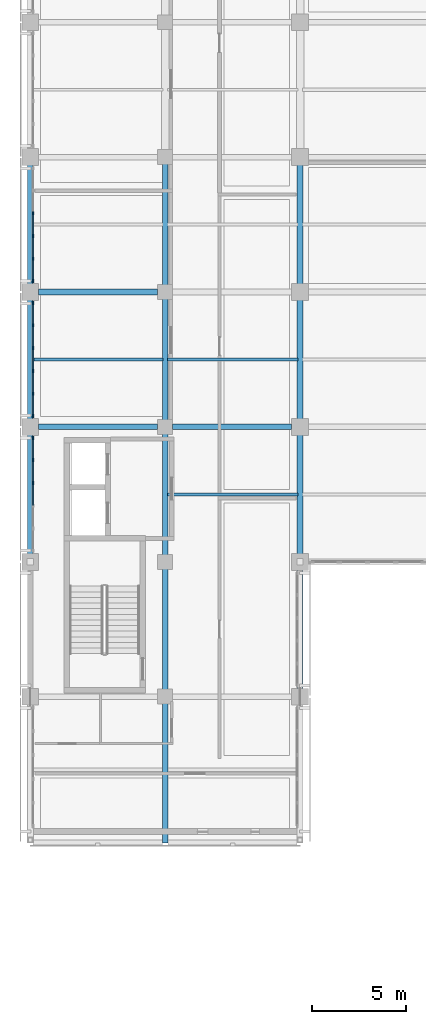
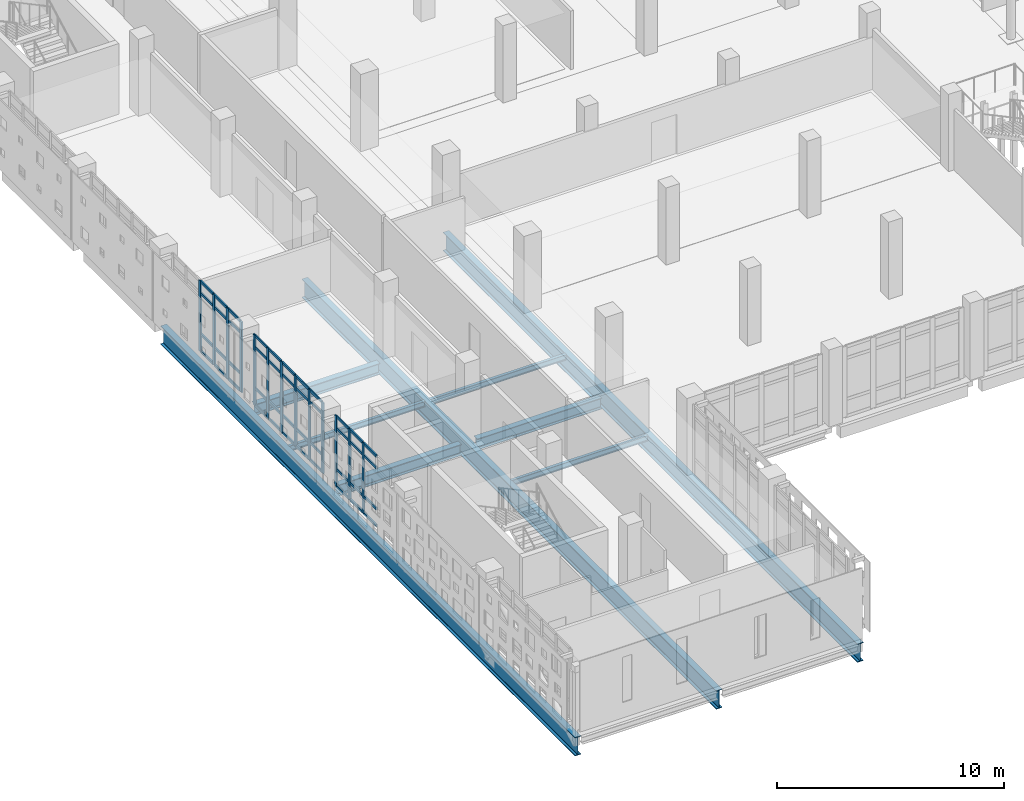
# One storey, part 13 of 62: 57 members, 9 beams, 3 elements without a shape of their own.
"""IFC4 building model written with IfcOpenShell, lengths in metres."""

from ifc_helpers import new_model, si_unit, direction, frame, origin, origin_2d, place, context, subcontext, project, spatial, rectangle, i_section, extrude, material, layer, layer_set, material_profile, profile_set, type_object, element, aggregate, save


model = new_model("IFC4")

# Units and contexts
model_context = context("Model", 3, precision=1e-05, world=origin(), true_north=direction((0.0, 1.0)))
body_context = subcontext(model_context, "Body", "Model", "MODEL_VIEW")
ifc_project = project(units=[si_unit("LENGTHUNIT", "METRE"), si_unit("AREAUNIT", "SQUARE_METRE"), si_unit("VOLUMEUNIT", "CUBIC_METRE"), si_unit("PLANEANGLEUNIT", "RADIAN"), si_unit("MASSUNIT", "GRAM", prefix="KILO")], contexts=[model_context])

# Site, building, storey
site_placement = place(None, origin())
site = spatial("IfcSite", under=ifc_project, at=site_placement, CompositionType="ELEMENT")
building_placement = place(site_placement, origin())
building = spatial("IfcBuilding", under=site, at=building_placement, Name="Valkovuoma Quantum and Materials Research Institute", CompositionType="ELEMENT")
storey_placement = place(building_placement, frame((0.0, 0.0, 8.9599609375)))
storey = spatial("IfcBuildingStorey", under=building, at=storey_placement, Name="L02", CompositionType="ELEMENT", Elevation=8.9599609375)

# Beams
ifc_material_1 = material(Name="Steel S355J2", Category="steel")
ifc_material_profile_1 = material_profile(ifc_material_1, i_section(OverallWidth=0.300048828125, OverallDepth=1.0, WebThickness=0.01904296875, FlangeThickness=0.035888671875, FilletRadius=0.030029296875, at=origin_2d()), Name="Steel S355J2")
ifc_profile_set_1 = profile_set([ifc_material_profile_1], Name="Steel S355J2")
beam_type_1 = type_object("IfcBeamType", Name="Beam-B-HEB1000", PredefinedType="BEAM", material=ifc_profile_set_1)
for number, where, z_axis, x_axis, name in (
    (1, (0.0, 21.0, -0.849853515625), (0.0, 1.0, 0.0), (-1.0, 0.0, 0.0), "L02 cantilever girder X0"),
    (2, (7.199951171875, 21.0, -0.849853515625), (0.0, 1.0, 0.0), (-1.0, 0.0, 0.0), "L02 cantilever girder X1"),
    (3, (14.39990234375, 21.0, -0.849853515625), (0.0, 1.0, 0.0), (-1.0, 0.0, 0.0), "L02 cantilever girder X2"),
):
    element("IfcBeam", number, at=place(storey_placement, frame(where, z_axis=z_axis, x_axis=x_axis)), inside=storey, type_object=beam_type_1, Name=name, PredefinedType="BEAM", context=body_context, shape_type="SweptSolid", body=[
        extrude(i_section(OverallWidth=0.300048828125, OverallDepth=1.0, WebThickness=0.01904296875, FlangeThickness=0.035888671875, FilletRadius=0.030029296875, at=origin_2d()), origin(), (0.0, 0.0, 1.0), 36.60009765625),
    ])
ifc_material_2 = material(Name="Steel S355J2", Category="steel")
ifc_material_profile_2 = material_profile(ifc_material_2, i_section(OverallWidth=0.300048828125, OverallDepth=0.60009765625, WebThickness=0.015380859375, FlangeThickness=0.030029296875, FilletRadius=0.027099609375, at=origin_2d()), Name="Steel S355J2")
ifc_profile_set_2 = profile_set([ifc_material_profile_2], Name="Steel S355J2")
beam_type_2 = type_object("IfcBeamType", Name="Beam-B-HEB600", PredefinedType="BEAM", material=ifc_profile_set_2)
beam_1_placement = place(storey_placement, frame((0.449951171875, 43.199951171875, -0.64990234375), z_axis=(1.0, 0.0, 0.0), x_axis=(0.0, 1.0, 0.0)))
element("IfcBeam", 4, at=beam_1_placement, inside=storey, type_object=beam_type_2, Name="L02 beam X-1022", PredefinedType="BEAM", context=body_context, shape_type="SweptSolid", body=[
    extrude(i_section(OverallWidth=0.300048828125, OverallDepth=0.60009765625, WebThickness=0.015380859375, FlangeThickness=0.030029296875, FilletRadius=0.027099609375, at=origin_2d()), origin(), (0.0, 0.0, 1.0), 6.35009765625),
])
beam_2_placement = place(storey_placement, frame((7.60009765625, 43.199951171875, -0.64990234375), z_axis=(1.0, 0.0, 0.0), x_axis=(0.0, 1.0, 0.0)))
element("IfcBeam", 5, at=beam_2_placement, inside=storey, type_object=beam_type_2, Name="L02 beam X-1023", PredefinedType="BEAM", context=body_context, shape_type="SweptSolid", body=[
    extrude(i_section(OverallWidth=0.300048828125, OverallDepth=0.60009765625, WebThickness=0.015380859375, FlangeThickness=0.030029296875, FilletRadius=0.027099609375, at=origin_2d()), origin(), (0.0, 0.0, 1.0), 6.349853515625),
])
beam_3_placement = place(storey_placement, frame((0.449951171875, 50.39990234375, -0.64990234375), z_axis=(1.0, 0.0, 0.0), x_axis=(0.0, 1.0, 0.0)))
element("IfcBeam", 6, at=beam_3_placement, inside=storey, type_object=beam_type_2, Name="L02 beam X-1034", PredefinedType="BEAM", context=body_context, shape_type="SweptSolid", body=[
    extrude(i_section(OverallWidth=0.300048828125, OverallDepth=0.60009765625, WebThickness=0.015380859375, FlangeThickness=0.030029296875, FilletRadius=0.027099609375, at=origin_2d()), origin(), (0.0, 0.0, 1.0), 6.35009765625),
])
ifc_material_3 = material(Name="Steel S355J2", Category="steel")
ifc_material_profile_3 = material_profile(ifc_material_3, i_section(OverallWidth=0.14990234375, OverallDepth=0.300048828125, WebThickness=0.007080078125, FlangeThickness=0.0107421875, FilletRadius=0.014892578125, at=origin_2d()), Name="Steel S355J2")
ifc_profile_set_3 = profile_set([ifc_material_profile_3], Name="Steel S355J2")
beam_type_3 = type_object("IfcBeamType", Name="Beam-B-JST300", PredefinedType="JOIST", material=ifc_profile_set_3)
for number, where, z_axis, x_axis, name in (
    (7, (7.320068359375, 39.60009765625, -0.5), (1.0, 0.0, 0.0), (0.0, 1.0, 0.0), "L02 floor joist 1308"),
    (8, (0.1201171875, 46.800048828125, -0.5), (1.0, 0.0, 0.0), (0.0, 1.0, 0.0), "L02 floor joist 1319"),
    (9, (7.320068359375, 46.800048828125, -0.5), (1.0, 0.0, 0.0), (0.0, 1.0, 0.0), "L02 floor joist 1320"),
):
    element("IfcBeam", number, at=place(storey_placement, frame(where, z_axis=z_axis, x_axis=x_axis)), inside=storey, type_object=beam_type_3, Name=name, PredefinedType="JOIST", context=body_context, shape_type="SweptSolid", body=[
        extrude(i_section(OverallWidth=0.14990234375, OverallDepth=0.300048828125, WebThickness=0.007080078125, FlangeThickness=0.0107421875, FilletRadius=0.014892578125, at=origin_2d()), origin(), (0.0, 0.0, 1.0), 6.9599609375),
    ])

# Curtain wall, members
ifc_material_4 = material(Name="Thermally broken aluminium and triple low-E glazing", Category="aluminium")
ifc_layer = layer(ifc_material_4, 0.219970703125)
ifc_layer_set = layer_set([ifc_layer], Name="Thermally broken aluminium and triple low-E glazing")
curtain_wall_type = type_object("IfcCurtainWallType", Name="CW-CW-01", PredefinedType="NOTDEFINED", material=ifc_layer_set)
curtain_wall_1_placement = place(storey_placement, origin())
curtain_wall_1 = element("IfcCurtainWall", 10, at=curtain_wall_1_placement, inside=storey, type_object=curtain_wall_type, Name="L02 curtain wall 021", PredefinedType="NOTDEFINED")
ifc_material_5 = material(Name="Anodised aluminium 6060-T66", Category="aluminium")
ifc_material_profile_4 = material_profile(ifc_material_5, rectangle(XDim=0.06494140625, YDim=0.179931640625, at=origin_2d()), Name="Anodised aluminium 6060-T66")
ifc_profile_set_4 = profile_set([ifc_material_profile_4], Name="Anodised aluminium 6060-T66")
member_type_1 = type_object("IfcMemberType", Name="CWMull-CWM-01", PredefinedType="MULLION", material=ifc_profile_set_4)
member_1_placement = place(storey_placement, frame((0.14990234375, 40.20849609375, 0.0), z_axis=(0.0, 0.0, 1.0), x_axis=(-1.0, 0.0, 0.0)))
member_1 = element("IfcMember", 11, at=member_1_placement, type_object=member_type_1, Name="CW-01 mullion 4", PredefinedType="MULLION", context=body_context, shape_type="SweptSolid", body=[
    extrude(rectangle(XDim=0.06494140625, YDim=0.179931640625, at=origin_2d()), origin(), (0.0, 0.0, 1.0), 3.81005859375),
])
member_2_placement = place(storey_placement, frame((0.14990234375, 41.42578125, 0.0), z_axis=(0.0, 0.0, 1.0), x_axis=(-1.0, 0.0, 0.0)))
member_2 = element("IfcMember", 12, at=member_2_placement, type_object=member_type_1, Name="CW-01 mullion 5", PredefinedType="MULLION", context=body_context, shape_type="SweptSolid", body=[
    extrude(rectangle(XDim=0.06494140625, YDim=0.179931640625, at=origin_2d()), origin(), (0.0, 0.0, 1.0), 3.81005859375),
])
member_3_placement = place(storey_placement, frame((0.14990234375, 42.6103515625, 0.0), z_axis=(0.0, 0.0, 1.0), x_axis=(-1.0, 0.0, 0.0)))
member_3 = element("IfcMember", 13, at=member_3_placement, type_object=member_type_1, Name="CW-01 mullion 6", PredefinedType="MULLION", context=body_context, shape_type="SweptSolid", body=[
    extrude(rectangle(XDim=0.06494140625, YDim=0.179931640625, at=origin_2d()), origin(), (0.0, 0.0, 1.0), 3.81005859375),
])

curtain_wall_2_placement = place(storey_placement, origin())
curtain_wall_2 = element("IfcCurtainWall", 14, at=curtain_wall_2_placement, inside=storey, type_object=curtain_wall_type, Name="L02 curtain wall 022", PredefinedType="NOTDEFINED")
member_4_placement = place(storey_placement, frame((0.14990234375, 43.78955078125, 0.0), z_axis=(0.0, 0.0, 1.0), x_axis=(-1.0, 0.0, 0.0)))
member_4 = element("IfcMember", 15, at=member_4_placement, type_object=member_type_1, Name="CW-01 mullion 1", PredefinedType="MULLION", context=body_context, shape_type="SweptSolid", body=[
    extrude(rectangle(XDim=0.06494140625, YDim=0.179931640625, at=origin_2d()), origin(), (0.0, 0.0, 1.0), 3.81005859375),
])
member_5_placement = place(storey_placement, frame((0.14990234375, 44.974365234375, 0.0), z_axis=(0.0, 0.0, 1.0), x_axis=(-1.0, 0.0, 0.0)))
member_5 = element("IfcMember", 16, at=member_5_placement, type_object=member_type_1, Name="CW-01 mullion 2", PredefinedType="MULLION", context=body_context, shape_type="SweptSolid", body=[
    extrude(rectangle(XDim=0.06494140625, YDim=0.179931640625, at=origin_2d()), origin(), (0.0, 0.0, 1.0), 3.81005859375),
])
member_6_placement = place(storey_placement, frame((0.14990234375, 46.19140625, 0.0), z_axis=(0.0, 0.0, 1.0), x_axis=(-1.0, 0.0, 0.0)))
member_6 = element("IfcMember", 17, at=member_6_placement, type_object=member_type_1, Name="CW-01 mullion 3", PredefinedType="MULLION", context=body_context, shape_type="SweptSolid", body=[
    extrude(rectangle(XDim=0.06494140625, YDim=0.179931640625, at=origin_2d()), origin(), (0.0, 0.0, 1.0), 3.81005859375),
])
member_7_placement = place(storey_placement, frame((0.14990234375, 47.40869140625, 0.0), z_axis=(0.0, 0.0, 1.0), x_axis=(-1.0, 0.0, 0.0)))
member_7 = element("IfcMember", 18, at=member_7_placement, type_object=member_type_1, Name="CW-01 mullion 4", PredefinedType="MULLION", context=body_context, shape_type="SweptSolid", body=[
    extrude(rectangle(XDim=0.06494140625, YDim=0.179931640625, at=origin_2d()), origin(), (0.0, 0.0, 1.0), 3.81005859375),
])
member_8_placement = place(storey_placement, frame((0.14990234375, 48.625732421875, 0.0), z_axis=(0.0, 0.0, 1.0), x_axis=(-1.0, 0.0, 0.0)))
member_8 = element("IfcMember", 19, at=member_8_placement, type_object=member_type_1, Name="CW-01 mullion 5", PredefinedType="MULLION", context=body_context, shape_type="SweptSolid", body=[
    extrude(rectangle(XDim=0.06494140625, YDim=0.179931640625, at=origin_2d()), origin(), (0.0, 0.0, 1.0), 3.81005859375),
])
member_9_placement = place(storey_placement, frame((0.14990234375, 49.810302734375, 0.0), z_axis=(0.0, 0.0, 1.0), x_axis=(-1.0, 0.0, 0.0)))
member_9 = element("IfcMember", 20, at=member_9_placement, type_object=member_type_1, Name="CW-01 mullion 6", PredefinedType="MULLION", context=body_context, shape_type="SweptSolid", body=[
    extrude(rectangle(XDim=0.06494140625, YDim=0.179931640625, at=origin_2d()), origin(), (0.0, 0.0, 1.0), 3.81005859375),
])

curtain_wall_3_placement = place(storey_placement, origin())
curtain_wall_3 = element("IfcCurtainWall", 21, at=curtain_wall_3_placement, inside=storey, type_object=curtain_wall_type, Name="L02 curtain wall 023", PredefinedType="NOTDEFINED")
member_10_placement = place(storey_placement, frame((0.14990234375, 50.989501953125, 0.0), z_axis=(0.0, 0.0, 1.0), x_axis=(-1.0, 0.0, 0.0)))
member_10 = element("IfcMember", 22, at=member_10_placement, type_object=member_type_1, Name="CW-01 mullion 1", PredefinedType="MULLION", context=body_context, shape_type="SweptSolid", body=[
    extrude(rectangle(XDim=0.06494140625, YDim=0.179931640625, at=origin_2d()), origin(), (0.0, 0.0, 1.0), 3.81005859375),
])
member_11_placement = place(storey_placement, frame((0.14990234375, 52.17431640625, 0.0), z_axis=(0.0, 0.0, 1.0), x_axis=(-1.0, 0.0, 0.0)))
member_11 = element("IfcMember", 23, at=member_11_placement, type_object=member_type_1, Name="CW-01 mullion 2", PredefinedType="MULLION", context=body_context, shape_type="SweptSolid", body=[
    extrude(rectangle(XDim=0.06494140625, YDim=0.179931640625, at=origin_2d()), origin(), (0.0, 0.0, 1.0), 3.81005859375),
])
member_12_placement = place(storey_placement, frame((0.14990234375, 53.391357421875, 0.0), z_axis=(0.0, 0.0, 1.0), x_axis=(-1.0, 0.0, 0.0)))
member_12 = element("IfcMember", 24, at=member_12_placement, type_object=member_type_1, Name="CW-01 mullion 3", PredefinedType="MULLION", context=body_context, shape_type="SweptSolid", body=[
    extrude(rectangle(XDim=0.06494140625, YDim=0.179931640625, at=origin_2d()), origin(), (0.0, 0.0, 1.0), 3.81005859375),
])
member_13_placement = place(storey_placement, frame((0.14990234375, 54.608642578125, 0.0), z_axis=(0.0, 0.0, 1.0), x_axis=(-1.0, 0.0, 0.0)))
member_13 = element("IfcMember", 25, at=member_13_placement, type_object=member_type_1, Name="CW-01 mullion 4", PredefinedType="MULLION", context=body_context, shape_type="SweptSolid", body=[
    extrude(rectangle(XDim=0.06494140625, YDim=0.179931640625, at=origin_2d()), origin(), (0.0, 0.0, 1.0), 3.81005859375),
])

# Member
ifc_material_6 = material(Name="Anodised aluminium 6060-T66", Category="aluminium")
ifc_material_profile_5 = material_profile(ifc_material_6, rectangle(XDim=0.06494140625, YDim=0.139892578125, at=origin_2d()), Name="Anodised aluminium 6060-T66")
ifc_profile_set_5 = profile_set([ifc_material_profile_5], Name="Anodised aluminium 6060-T66")
member_type_2 = type_object("IfcMemberType", Name="CWTran-CWT-01", PredefinedType="USERDEFINED", material=ifc_profile_set_5)
member_14_placement = place(storey_placement, frame((0.14990234375, 39.02392578125, 0.032470703125), z_axis=(0.0, 1.0, 0.0), x_axis=(-1.0, 0.0, 0.0)))
member_14 = element("IfcMember", 26, at=member_14_placement, type_object=member_type_2, Name="CW-01 transom 3.1", ObjectType="TRANSOM", PredefinedType="USERDEFINED", context=body_context, shape_type="SweptSolid", body=[
    extrude(rectangle(XDim=0.06494140625, YDim=0.139892578125, at=origin_2d()), origin(), (0.0, 0.0, 1.0), 1.152099609375),
])

member_15_placement = place(storey_placement, frame((0.14990234375, 39.02392578125, 0.949951171875), z_axis=(0.0, 1.0, 0.0), x_axis=(-1.0, 0.0, 0.0)))
member_15 = element("IfcMember", 27, at=member_15_placement, type_object=member_type_2, Name="CW-01 transom 3.2", ObjectType="TRANSOM", PredefinedType="USERDEFINED", context=body_context, shape_type="SweptSolid", body=[
    extrude(rectangle(XDim=0.06494140625, YDim=0.139892578125, at=origin_2d()), origin(), (0.0, 0.0, 1.0), 1.152099609375),
])

member_16_placement = place(storey_placement, frame((0.14990234375, 39.02392578125, 3.16015625), z_axis=(0.0, 1.0, 0.0), x_axis=(-1.0, 0.0, 0.0)))
member_16 = element("IfcMember", 28, at=member_16_placement, type_object=member_type_2, Name="CW-01 transom 3.3", ObjectType="TRANSOM", PredefinedType="USERDEFINED", context=body_context, shape_type="SweptSolid", body=[
    extrude(rectangle(XDim=0.06494140625, YDim=0.139892578125, at=origin_2d()), origin(), (0.0, 0.0, 1.0), 1.152099609375),
])

member_17_placement = place(storey_placement, frame((0.14990234375, 39.02392578125, 3.777587890625), z_axis=(0.0, 1.0, 0.0), x_axis=(-1.0, 0.0, 0.0)))
member_17 = element("IfcMember", 29, at=member_17_placement, type_object=member_type_2, Name="CW-01 transom 3.4", ObjectType="TRANSOM", PredefinedType="USERDEFINED", context=body_context, shape_type="SweptSolid", body=[
    extrude(rectangle(XDim=0.06494140625, YDim=0.139892578125, at=origin_2d()), origin(), (0.0, 0.0, 1.0), 1.152099609375),
])

member_18_placement = place(storey_placement, frame((0.14990234375, 40.240966796875, 0.032470703125), z_axis=(0.0, 1.0, 0.0), x_axis=(-1.0, 0.0, 0.0)))
member_18 = element("IfcMember", 30, at=member_18_placement, type_object=member_type_2, Name="CW-01 transom 4.1", ObjectType="TRANSOM", PredefinedType="USERDEFINED", context=body_context, shape_type="SweptSolid", body=[
    extrude(rectangle(XDim=0.06494140625, YDim=0.139892578125, at=origin_2d()), origin(), (0.0, 0.0, 1.0), 1.15234375),
])

member_19_placement = place(storey_placement, frame((0.14990234375, 40.240966796875, 0.949951171875), z_axis=(0.0, 1.0, 0.0), x_axis=(-1.0, 0.0, 0.0)))
member_19 = element("IfcMember", 31, at=member_19_placement, type_object=member_type_2, Name="CW-01 transom 4.2", ObjectType="TRANSOM", PredefinedType="USERDEFINED", context=body_context, shape_type="SweptSolid", body=[
    extrude(rectangle(XDim=0.06494140625, YDim=0.139892578125, at=origin_2d()), origin(), (0.0, 0.0, 1.0), 1.15234375),
])

member_20_placement = place(storey_placement, frame((0.14990234375, 40.240966796875, 3.16015625), z_axis=(0.0, 1.0, 0.0), x_axis=(-1.0, 0.0, 0.0)))
member_20 = element("IfcMember", 32, at=member_20_placement, type_object=member_type_2, Name="CW-01 transom 4.3", ObjectType="TRANSOM", PredefinedType="USERDEFINED", context=body_context, shape_type="SweptSolid", body=[
    extrude(rectangle(XDim=0.06494140625, YDim=0.139892578125, at=origin_2d()), origin(), (0.0, 0.0, 1.0), 1.15234375),
])

member_21_placement = place(storey_placement, frame((0.14990234375, 40.240966796875, 3.777587890625), z_axis=(0.0, 1.0, 0.0), x_axis=(-1.0, 0.0, 0.0)))
member_21 = element("IfcMember", 33, at=member_21_placement, type_object=member_type_2, Name="CW-01 transom 4.4", ObjectType="TRANSOM", PredefinedType="USERDEFINED", context=body_context, shape_type="SweptSolid", body=[
    extrude(rectangle(XDim=0.06494140625, YDim=0.139892578125, at=origin_2d()), origin(), (0.0, 0.0, 1.0), 1.15234375),
])

member_22_placement = place(storey_placement, frame((0.14990234375, 41.458251953125, 0.032470703125), z_axis=(0.0, 1.0, 0.0), x_axis=(-1.0, 0.0, 0.0)))
member_22 = element("IfcMember", 34, at=member_22_placement, type_object=member_type_2, Name="CW-01 transom 5.1", ObjectType="TRANSOM", PredefinedType="USERDEFINED", context=body_context, shape_type="SweptSolid", body=[
    extrude(rectangle(XDim=0.06494140625, YDim=0.139892578125, at=origin_2d()), origin(), (0.0, 0.0, 1.0), 1.11962890625),
])

member_23_placement = place(storey_placement, frame((0.14990234375, 41.458251953125, 0.949951171875), z_axis=(0.0, 1.0, 0.0), x_axis=(-1.0, 0.0, 0.0)))
member_23 = element("IfcMember", 35, at=member_23_placement, type_object=member_type_2, Name="CW-01 transom 5.2", ObjectType="TRANSOM", PredefinedType="USERDEFINED", context=body_context, shape_type="SweptSolid", body=[
    extrude(rectangle(XDim=0.06494140625, YDim=0.139892578125, at=origin_2d()), origin(), (0.0, 0.0, 1.0), 1.11962890625),
])

member_24_placement = place(storey_placement, frame((0.14990234375, 41.458251953125, 3.16015625), z_axis=(0.0, 1.0, 0.0), x_axis=(-1.0, 0.0, 0.0)))
member_24 = element("IfcMember", 36, at=member_24_placement, type_object=member_type_2, Name="CW-01 transom 5.3", ObjectType="TRANSOM", PredefinedType="USERDEFINED", context=body_context, shape_type="SweptSolid", body=[
    extrude(rectangle(XDim=0.06494140625, YDim=0.139892578125, at=origin_2d()), origin(), (0.0, 0.0, 1.0), 1.11962890625),
])

member_25_placement = place(storey_placement, frame((0.14990234375, 41.458251953125, 3.777587890625), z_axis=(0.0, 1.0, 0.0), x_axis=(-1.0, 0.0, 0.0)))
member_25 = element("IfcMember", 37, at=member_25_placement, type_object=member_type_2, Name="CW-01 transom 5.4", ObjectType="TRANSOM", PredefinedType="USERDEFINED", context=body_context, shape_type="SweptSolid", body=[
    extrude(rectangle(XDim=0.06494140625, YDim=0.139892578125, at=origin_2d()), origin(), (0.0, 0.0, 1.0), 1.11962890625),
])

aggregate(curtain_wall_1, [member_1, member_2, member_3, member_14, member_15, member_16, member_17, member_18, member_19, member_20, member_21, member_22, member_23, member_24, member_25])

member_26_placement = place(storey_placement, frame((0.14990234375, 43.822021484375, 0.032470703125), z_axis=(0.0, 1.0, 0.0), x_axis=(-1.0, 0.0, 0.0)))
member_26 = element("IfcMember", 38, at=member_26_placement, type_object=member_type_2, Name="CW-01 transom 1.1", ObjectType="TRANSOM", PredefinedType="USERDEFINED", context=body_context, shape_type="SweptSolid", body=[
    extrude(rectangle(XDim=0.06494140625, YDim=0.139892578125, at=origin_2d()), origin(), (0.0, 0.0, 1.0), 1.11962890625),
])

member_27_placement = place(storey_placement, frame((0.14990234375, 43.822021484375, 0.949951171875), z_axis=(0.0, 1.0, 0.0), x_axis=(-1.0, 0.0, 0.0)))
member_27 = element("IfcMember", 39, at=member_27_placement, type_object=member_type_2, Name="CW-01 transom 1.2", ObjectType="TRANSOM", PredefinedType="USERDEFINED", context=body_context, shape_type="SweptSolid", body=[
    extrude(rectangle(XDim=0.06494140625, YDim=0.139892578125, at=origin_2d()), origin(), (0.0, 0.0, 1.0), 1.11962890625),
])

member_28_placement = place(storey_placement, frame((0.14990234375, 43.822021484375, 3.16015625), z_axis=(0.0, 1.0, 0.0), x_axis=(-1.0, 0.0, 0.0)))
member_28 = element("IfcMember", 40, at=member_28_placement, type_object=member_type_2, Name="CW-01 transom 1.3", ObjectType="TRANSOM", PredefinedType="USERDEFINED", context=body_context, shape_type="SweptSolid", body=[
    extrude(rectangle(XDim=0.06494140625, YDim=0.139892578125, at=origin_2d()), origin(), (0.0, 0.0, 1.0), 1.11962890625),
])

member_29_placement = place(storey_placement, frame((0.14990234375, 43.822021484375, 3.777587890625), z_axis=(0.0, 1.0, 0.0), x_axis=(-1.0, 0.0, 0.0)))
member_29 = element("IfcMember", 41, at=member_29_placement, type_object=member_type_2, Name="CW-01 transom 1.4", ObjectType="TRANSOM", PredefinedType="USERDEFINED", context=body_context, shape_type="SweptSolid", body=[
    extrude(rectangle(XDim=0.06494140625, YDim=0.139892578125, at=origin_2d()), origin(), (0.0, 0.0, 1.0), 1.11962890625),
])

member_30_placement = place(storey_placement, frame((0.14990234375, 45.0068359375, 0.032470703125), z_axis=(0.0, 1.0, 0.0), x_axis=(-1.0, 0.0, 0.0)))
member_30 = element("IfcMember", 42, at=member_30_placement, type_object=member_type_2, Name="CW-01 transom 2.1", ObjectType="TRANSOM", PredefinedType="USERDEFINED", context=body_context, shape_type="SweptSolid", body=[
    extrude(rectangle(XDim=0.06494140625, YDim=0.139892578125, at=origin_2d()), origin(), (0.0, 0.0, 1.0), 1.152099609375),
])

member_31_placement = place(storey_placement, frame((0.14990234375, 45.0068359375, 0.949951171875), z_axis=(0.0, 1.0, 0.0), x_axis=(-1.0, 0.0, 0.0)))
member_31 = element("IfcMember", 43, at=member_31_placement, type_object=member_type_2, Name="CW-01 transom 2.2", ObjectType="TRANSOM", PredefinedType="USERDEFINED", context=body_context, shape_type="SweptSolid", body=[
    extrude(rectangle(XDim=0.06494140625, YDim=0.139892578125, at=origin_2d()), origin(), (0.0, 0.0, 1.0), 1.152099609375),
])

member_32_placement = place(storey_placement, frame((0.14990234375, 45.0068359375, 3.16015625), z_axis=(0.0, 1.0, 0.0), x_axis=(-1.0, 0.0, 0.0)))
member_32 = element("IfcMember", 44, at=member_32_placement, type_object=member_type_2, Name="CW-01 transom 2.3", ObjectType="TRANSOM", PredefinedType="USERDEFINED", context=body_context, shape_type="SweptSolid", body=[
    extrude(rectangle(XDim=0.06494140625, YDim=0.139892578125, at=origin_2d()), origin(), (0.0, 0.0, 1.0), 1.152099609375),
])

member_33_placement = place(storey_placement, frame((0.14990234375, 45.0068359375, 3.777587890625), z_axis=(0.0, 1.0, 0.0), x_axis=(-1.0, 0.0, 0.0)))
member_33 = element("IfcMember", 45, at=member_33_placement, type_object=member_type_2, Name="CW-01 transom 2.4", ObjectType="TRANSOM", PredefinedType="USERDEFINED", context=body_context, shape_type="SweptSolid", body=[
    extrude(rectangle(XDim=0.06494140625, YDim=0.139892578125, at=origin_2d()), origin(), (0.0, 0.0, 1.0), 1.152099609375),
])

member_34_placement = place(storey_placement, frame((0.14990234375, 46.223876953125, 0.032470703125), z_axis=(0.0, 1.0, 0.0), x_axis=(-1.0, 0.0, 0.0)))
member_34 = element("IfcMember", 46, at=member_34_placement, type_object=member_type_2, Name="CW-01 transom 3.1", ObjectType="TRANSOM", PredefinedType="USERDEFINED", context=body_context, shape_type="SweptSolid", body=[
    extrude(rectangle(XDim=0.06494140625, YDim=0.139892578125, at=origin_2d()), origin(), (0.0, 0.0, 1.0), 1.152099609375),
])

member_35_placement = place(storey_placement, frame((0.14990234375, 46.223876953125, 0.949951171875), z_axis=(0.0, 1.0, 0.0), x_axis=(-1.0, 0.0, 0.0)))
member_35 = element("IfcMember", 47, at=member_35_placement, type_object=member_type_2, Name="CW-01 transom 3.2", ObjectType="TRANSOM", PredefinedType="USERDEFINED", context=body_context, shape_type="SweptSolid", body=[
    extrude(rectangle(XDim=0.06494140625, YDim=0.139892578125, at=origin_2d()), origin(), (0.0, 0.0, 1.0), 1.152099609375),
])

member_36_placement = place(storey_placement, frame((0.14990234375, 46.223876953125, 3.16015625), z_axis=(0.0, 1.0, 0.0), x_axis=(-1.0, 0.0, 0.0)))
member_36 = element("IfcMember", 48, at=member_36_placement, type_object=member_type_2, Name="CW-01 transom 3.3", ObjectType="TRANSOM", PredefinedType="USERDEFINED", context=body_context, shape_type="SweptSolid", body=[
    extrude(rectangle(XDim=0.06494140625, YDim=0.139892578125, at=origin_2d()), origin(), (0.0, 0.0, 1.0), 1.152099609375),
])

member_37_placement = place(storey_placement, frame((0.14990234375, 46.223876953125, 3.777587890625), z_axis=(0.0, 1.0, 0.0), x_axis=(-1.0, 0.0, 0.0)))
member_37 = element("IfcMember", 49, at=member_37_placement, type_object=member_type_2, Name="CW-01 transom 3.4", ObjectType="TRANSOM", PredefinedType="USERDEFINED", context=body_context, shape_type="SweptSolid", body=[
    extrude(rectangle(XDim=0.06494140625, YDim=0.139892578125, at=origin_2d()), origin(), (0.0, 0.0, 1.0), 1.152099609375),
])

member_38_placement = place(storey_placement, frame((0.14990234375, 47.441162109375, 0.032470703125), z_axis=(0.0, 1.0, 0.0), x_axis=(-1.0, 0.0, 0.0)))
member_38 = element("IfcMember", 50, at=member_38_placement, type_object=member_type_2, Name="CW-01 transom 4.1", ObjectType="TRANSOM", PredefinedType="USERDEFINED", context=body_context, shape_type="SweptSolid", body=[
    extrude(rectangle(XDim=0.06494140625, YDim=0.139892578125, at=origin_2d()), origin(), (0.0, 0.0, 1.0), 1.152099609375),
])

member_39_placement = place(storey_placement, frame((0.14990234375, 47.441162109375, 0.949951171875), z_axis=(0.0, 1.0, 0.0), x_axis=(-1.0, 0.0, 0.0)))
member_39 = element("IfcMember", 51, at=member_39_placement, type_object=member_type_2, Name="CW-01 transom 4.2", ObjectType="TRANSOM", PredefinedType="USERDEFINED", context=body_context, shape_type="SweptSolid", body=[
    extrude(rectangle(XDim=0.06494140625, YDim=0.139892578125, at=origin_2d()), origin(), (0.0, 0.0, 1.0), 1.152099609375),
])

member_40_placement = place(storey_placement, frame((0.14990234375, 47.441162109375, 3.16015625), z_axis=(0.0, 1.0, 0.0), x_axis=(-1.0, 0.0, 0.0)))
member_40 = element("IfcMember", 52, at=member_40_placement, type_object=member_type_2, Name="CW-01 transom 4.3", ObjectType="TRANSOM", PredefinedType="USERDEFINED", context=body_context, shape_type="SweptSolid", body=[
    extrude(rectangle(XDim=0.06494140625, YDim=0.139892578125, at=origin_2d()), origin(), (0.0, 0.0, 1.0), 1.152099609375),
])

member_41_placement = place(storey_placement, frame((0.14990234375, 47.441162109375, 3.777587890625), z_axis=(0.0, 1.0, 0.0), x_axis=(-1.0, 0.0, 0.0)))
member_41 = element("IfcMember", 53, at=member_41_placement, type_object=member_type_2, Name="CW-01 transom 4.4", ObjectType="TRANSOM", PredefinedType="USERDEFINED", context=body_context, shape_type="SweptSolid", body=[
    extrude(rectangle(XDim=0.06494140625, YDim=0.139892578125, at=origin_2d()), origin(), (0.0, 0.0, 1.0), 1.152099609375),
])

member_42_placement = place(storey_placement, frame((0.14990234375, 48.658203125, 0.032470703125), z_axis=(0.0, 1.0, 0.0), x_axis=(-1.0, 0.0, 0.0)))
member_42 = element("IfcMember", 54, at=member_42_placement, type_object=member_type_2, Name="CW-01 transom 5.1", ObjectType="TRANSOM", PredefinedType="USERDEFINED", context=body_context, shape_type="SweptSolid", body=[
    extrude(rectangle(XDim=0.06494140625, YDim=0.139892578125, at=origin_2d()), origin(), (0.0, 0.0, 1.0), 1.11962890625),
])

member_43_placement = place(storey_placement, frame((0.14990234375, 48.658203125, 0.949951171875), z_axis=(0.0, 1.0, 0.0), x_axis=(-1.0, 0.0, 0.0)))
member_43 = element("IfcMember", 55, at=member_43_placement, type_object=member_type_2, Name="CW-01 transom 5.2", ObjectType="TRANSOM", PredefinedType="USERDEFINED", context=body_context, shape_type="SweptSolid", body=[
    extrude(rectangle(XDim=0.06494140625, YDim=0.139892578125, at=origin_2d()), origin(), (0.0, 0.0, 1.0), 1.11962890625),
])

member_44_placement = place(storey_placement, frame((0.14990234375, 48.658203125, 3.16015625), z_axis=(0.0, 1.0, 0.0), x_axis=(-1.0, 0.0, 0.0)))
member_44 = element("IfcMember", 56, at=member_44_placement, type_object=member_type_2, Name="CW-01 transom 5.3", ObjectType="TRANSOM", PredefinedType="USERDEFINED", context=body_context, shape_type="SweptSolid", body=[
    extrude(rectangle(XDim=0.06494140625, YDim=0.139892578125, at=origin_2d()), origin(), (0.0, 0.0, 1.0), 1.11962890625),
])

member_45_placement = place(storey_placement, frame((0.14990234375, 48.658203125, 3.777587890625), z_axis=(0.0, 1.0, 0.0), x_axis=(-1.0, 0.0, 0.0)))
member_45 = element("IfcMember", 57, at=member_45_placement, type_object=member_type_2, Name="CW-01 transom 5.4", ObjectType="TRANSOM", PredefinedType="USERDEFINED", context=body_context, shape_type="SweptSolid", body=[
    extrude(rectangle(XDim=0.06494140625, YDim=0.139892578125, at=origin_2d()), origin(), (0.0, 0.0, 1.0), 1.11962890625),
])

aggregate(curtain_wall_2, [member_4, member_5, member_6, member_7, member_8, member_9, member_26, member_27, member_28, member_29, member_30, member_31, member_32, member_33, member_34, member_35, member_36, member_37, member_38, member_39, member_40, member_41, member_42, member_43, member_44, member_45])

member_46_placement = place(storey_placement, frame((0.14990234375, 51.022216796875, 0.032470703125), z_axis=(0.0, 1.0, 0.0), x_axis=(-1.0, 0.0, 0.0)))
member_46 = element("IfcMember", 58, at=member_46_placement, type_object=member_type_2, Name="CW-01 transom 1.1", ObjectType="TRANSOM", PredefinedType="USERDEFINED", context=body_context, shape_type="SweptSolid", body=[
    extrude(rectangle(XDim=0.06494140625, YDim=0.139892578125, at=origin_2d()), origin(), (0.0, 0.0, 1.0), 1.11962890625),
])

member_47_placement = place(storey_placement, frame((0.14990234375, 51.022216796875, 0.949951171875), z_axis=(0.0, 1.0, 0.0), x_axis=(-1.0, 0.0, 0.0)))
member_47 = element("IfcMember", 59, at=member_47_placement, type_object=member_type_2, Name="CW-01 transom 1.2", ObjectType="TRANSOM", PredefinedType="USERDEFINED", context=body_context, shape_type="SweptSolid", body=[
    extrude(rectangle(XDim=0.06494140625, YDim=0.139892578125, at=origin_2d()), origin(), (0.0, 0.0, 1.0), 1.11962890625),
])

member_48_placement = place(storey_placement, frame((0.14990234375, 51.022216796875, 3.16015625), z_axis=(0.0, 1.0, 0.0), x_axis=(-1.0, 0.0, 0.0)))
member_48 = element("IfcMember", 60, at=member_48_placement, type_object=member_type_2, Name="CW-01 transom 1.3", ObjectType="TRANSOM", PredefinedType="USERDEFINED", context=body_context, shape_type="SweptSolid", body=[
    extrude(rectangle(XDim=0.06494140625, YDim=0.139892578125, at=origin_2d()), origin(), (0.0, 0.0, 1.0), 1.11962890625),
])

member_49_placement = place(storey_placement, frame((0.14990234375, 51.022216796875, 3.777587890625), z_axis=(0.0, 1.0, 0.0), x_axis=(-1.0, 0.0, 0.0)))
member_49 = element("IfcMember", 61, at=member_49_placement, type_object=member_type_2, Name="CW-01 transom 1.4", ObjectType="TRANSOM", PredefinedType="USERDEFINED", context=body_context, shape_type="SweptSolid", body=[
    extrude(rectangle(XDim=0.06494140625, YDim=0.139892578125, at=origin_2d()), origin(), (0.0, 0.0, 1.0), 1.11962890625),
])

member_50_placement = place(storey_placement, frame((0.14990234375, 52.206787109375, 0.032470703125), z_axis=(0.0, 1.0, 0.0), x_axis=(-1.0, 0.0, 0.0)))
member_50 = element("IfcMember", 62, at=member_50_placement, type_object=member_type_2, Name="CW-01 transom 2.1", ObjectType="TRANSOM", PredefinedType="USERDEFINED", context=body_context, shape_type="SweptSolid", body=[
    extrude(rectangle(XDim=0.06494140625, YDim=0.139892578125, at=origin_2d()), origin(), (0.0, 0.0, 1.0), 1.152099609375),
])

member_51_placement = place(storey_placement, frame((0.14990234375, 52.206787109375, 0.949951171875), z_axis=(0.0, 1.0, 0.0), x_axis=(-1.0, 0.0, 0.0)))
member_51 = element("IfcMember", 63, at=member_51_placement, type_object=member_type_2, Name="CW-01 transom 2.2", ObjectType="TRANSOM", PredefinedType="USERDEFINED", context=body_context, shape_type="SweptSolid", body=[
    extrude(rectangle(XDim=0.06494140625, YDim=0.139892578125, at=origin_2d()), origin(), (0.0, 0.0, 1.0), 1.152099609375),
])

member_52_placement = place(storey_placement, frame((0.14990234375, 52.206787109375, 3.16015625), z_axis=(0.0, 1.0, 0.0), x_axis=(-1.0, 0.0, 0.0)))
member_52 = element("IfcMember", 64, at=member_52_placement, type_object=member_type_2, Name="CW-01 transom 2.3", ObjectType="TRANSOM", PredefinedType="USERDEFINED", context=body_context, shape_type="SweptSolid", body=[
    extrude(rectangle(XDim=0.06494140625, YDim=0.139892578125, at=origin_2d()), origin(), (0.0, 0.0, 1.0), 1.152099609375),
])

member_53_placement = place(storey_placement, frame((0.14990234375, 52.206787109375, 3.777587890625), z_axis=(0.0, 1.0, 0.0), x_axis=(-1.0, 0.0, 0.0)))
member_53 = element("IfcMember", 65, at=member_53_placement, type_object=member_type_2, Name="CW-01 transom 2.4", ObjectType="TRANSOM", PredefinedType="USERDEFINED", context=body_context, shape_type="SweptSolid", body=[
    extrude(rectangle(XDim=0.06494140625, YDim=0.139892578125, at=origin_2d()), origin(), (0.0, 0.0, 1.0), 1.152099609375),
])

member_54_placement = place(storey_placement, frame((0.14990234375, 53.423828125, 0.032470703125), z_axis=(0.0, 1.0, 0.0), x_axis=(-1.0, 0.0, 0.0)))
member_54 = element("IfcMember", 66, at=member_54_placement, type_object=member_type_2, Name="CW-01 transom 3.1", ObjectType="TRANSOM", PredefinedType="USERDEFINED", context=body_context, shape_type="SweptSolid", body=[
    extrude(rectangle(XDim=0.06494140625, YDim=0.139892578125, at=origin_2d()), origin(), (0.0, 0.0, 1.0), 1.15234375),
])

member_55_placement = place(storey_placement, frame((0.14990234375, 53.423828125, 0.949951171875), z_axis=(0.0, 1.0, 0.0), x_axis=(-1.0, 0.0, 0.0)))
member_55 = element("IfcMember", 67, at=member_55_placement, type_object=member_type_2, Name="CW-01 transom 3.2", ObjectType="TRANSOM", PredefinedType="USERDEFINED", context=body_context, shape_type="SweptSolid", body=[
    extrude(rectangle(XDim=0.06494140625, YDim=0.139892578125, at=origin_2d()), origin(), (0.0, 0.0, 1.0), 1.15234375),
])

member_56_placement = place(storey_placement, frame((0.14990234375, 53.423828125, 3.16015625), z_axis=(0.0, 1.0, 0.0), x_axis=(-1.0, 0.0, 0.0)))
member_56 = element("IfcMember", 68, at=member_56_placement, type_object=member_type_2, Name="CW-01 transom 3.3", ObjectType="TRANSOM", PredefinedType="USERDEFINED", context=body_context, shape_type="SweptSolid", body=[
    extrude(rectangle(XDim=0.06494140625, YDim=0.139892578125, at=origin_2d()), origin(), (0.0, 0.0, 1.0), 1.15234375),
])

member_57_placement = place(storey_placement, frame((0.14990234375, 53.423828125, 3.777587890625), z_axis=(0.0, 1.0, 0.0), x_axis=(-1.0, 0.0, 0.0)))
member_57 = element("IfcMember", 69, at=member_57_placement, type_object=member_type_2, Name="CW-01 transom 3.4", ObjectType="TRANSOM", PredefinedType="USERDEFINED", context=body_context, shape_type="SweptSolid", body=[
    extrude(rectangle(XDim=0.06494140625, YDim=0.139892578125, at=origin_2d()), origin(), (0.0, 0.0, 1.0), 1.15234375),
])

aggregate(curtain_wall_3, [member_10, member_11, member_12, member_13, member_46, member_47, member_48, member_49, member_50, member_51, member_52, member_53, member_54, member_55, member_56, member_57])

save(model, "model.ifc")
